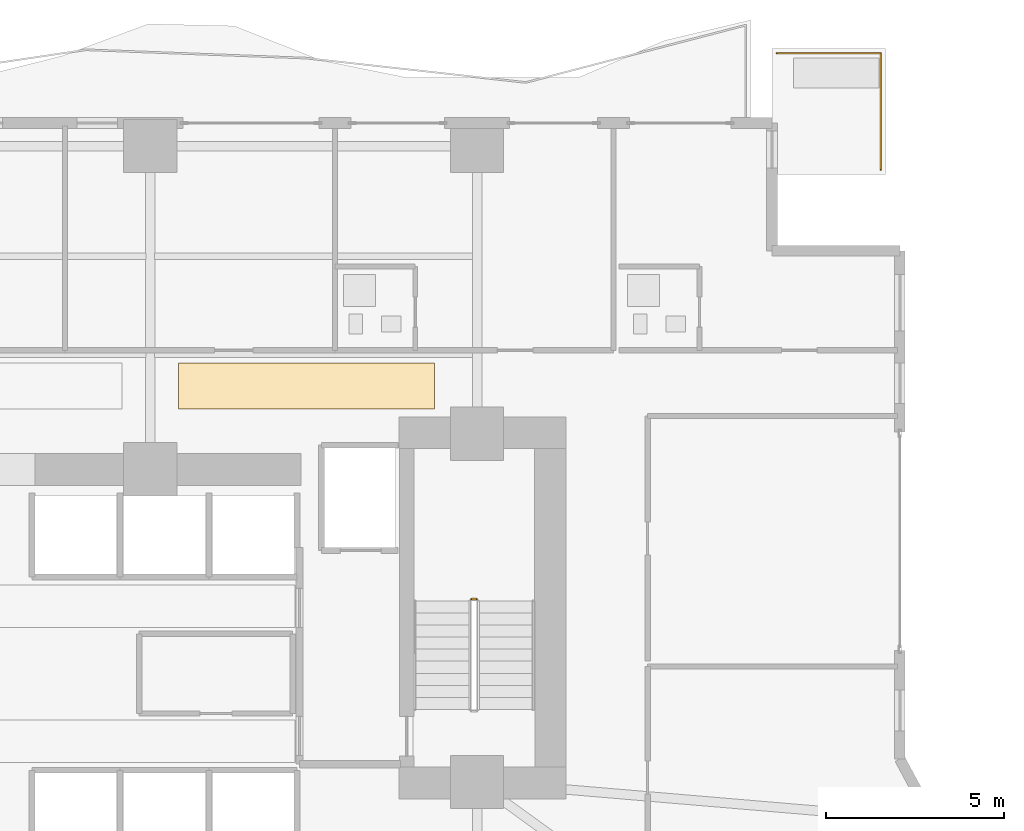
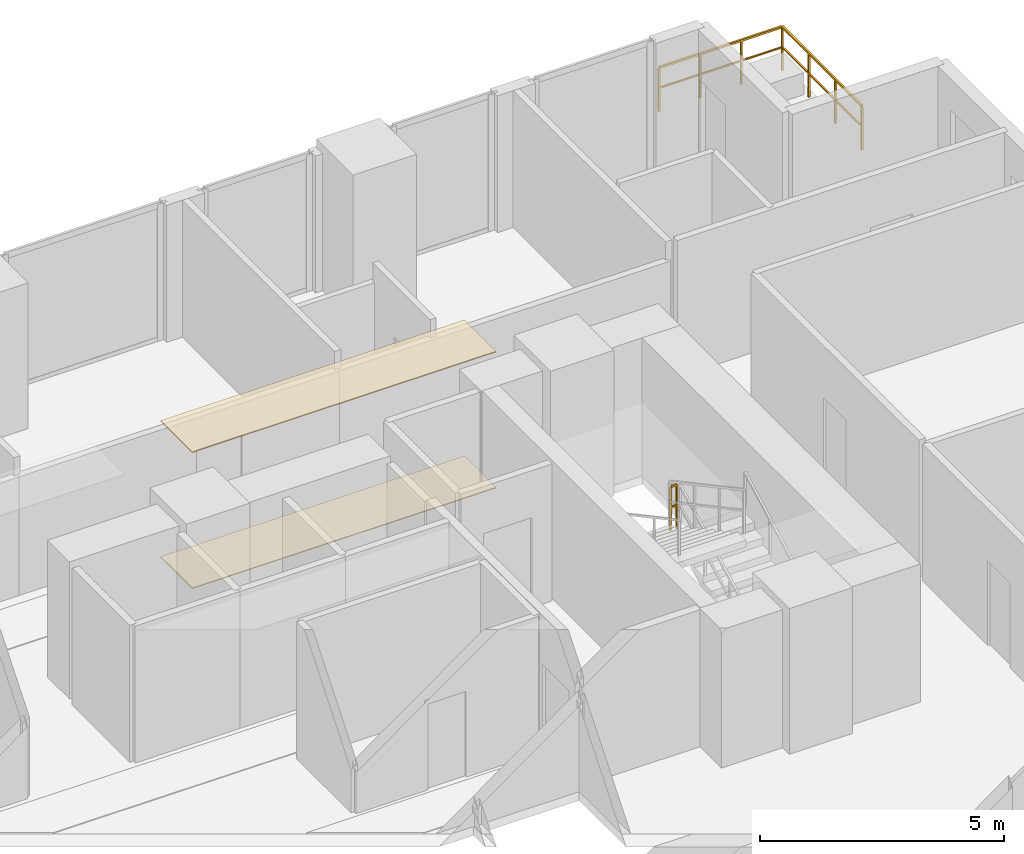
# One storey, part 27 of 28: 2 coverings, 2 railings.
"""IFC4 building model written with IfcOpenShell, lengths in metres."""

from ifc_helpers import new_model, si_unit, direction, frame, origin, origin_2d, place, context, subcontext, project, spatial, polyline, rectangle, outline, extrude, material, layer, layer_set, type_object, element, save


model = new_model("IFC4")

# Units and contexts
model_context = context("Model", 3, precision=1e-05, world=origin(), true_north=direction((0.0, 1.0)))
body_context = subcontext(model_context, "Body", "Model", "MODEL_VIEW")
ifc_project = project(units=[si_unit("LENGTHUNIT", "METRE"), si_unit("AREAUNIT", "SQUARE_METRE"), si_unit("VOLUMEUNIT", "CUBIC_METRE"), si_unit("PLANEANGLEUNIT", "RADIAN"), si_unit("MASSUNIT", "GRAM", prefix="KILO")], contexts=[model_context])

# Site, building, storey
site_placement = place(None, origin())
site = spatial("IfcSite", under=ifc_project, at=site_placement, CompositionType="ELEMENT")
building_placement = place(site_placement, origin())
building = spatial("IfcBuilding", under=site, at=building_placement, Name="Zuhayl Quay Hotel", CompositionType="ELEMENT")
storey_placement = place(building_placement, frame((0.0, 0.0, 56.800048828125)))
storey = spatial("IfcBuildingStorey", under=building, at=storey_placement, Name="L13", CompositionType="ELEMENT", Elevation=56.800048828125)

# Coverings
ifc_material_1 = material(Name="Acoustic Mineral-Fibre Gypsum Board")
ifc_layer_1 = layer(ifc_material_1, 0.02490234375, Name="Acoustic Mineral-Fibre Gypsum Board")
ifc_layer_set_1 = layer_set([ifc_layer_1], Name="Acoustic Mineral-Fibre Gypsum Board")
covering_type_1 = type_object("IfcCoveringType", Name="CV_CEIL_ACOUSTIC", PredefinedType="CEILING", material=ifc_layer_set_1)
covering_1_placement = place(storey_placement, frame((0.0, 0.0, 3.405029296875)))
element("IfcCovering", 1, at=covering_1_placement, inside=storey, type_object=covering_type_1, Name="L13 Guest Corridor Acoustic Ceiling CE", PredefinedType="CEILING", context=body_context, shape_type="SweptSolid", body=[
    extrude(outline(polyline([(5.39990234375, 15.050048828125), (12.60009765625, 15.050048828125), (12.60009765625, 16.35009765625), (5.39990234375, 16.35009765625), (5.39990234375, 15.050048828125)])), origin(), (0.0, 0.0, 1.0), 0.02490234375),
])
ifc_material_2 = material(Name="Polished Limestone Terrazzo", Category="masonry")
ifc_layer_2 = layer(ifc_material_2, 0.02001953125, Name="Polished Limestone Terrazzo", Category="masonry")
ifc_layer_set_2 = layer_set([ifc_layer_2], Name="Polished Limestone Terrazzo")
covering_type_2 = type_object("IfcCoveringType", Name="CV_FLOOR_TERRAZZO", PredefinedType="FLOORING", material=ifc_layer_set_2)
covering_2_placement = place(storey_placement, origin())
element("IfcCovering", 2, at=covering_2_placement, inside=storey, type_object=covering_type_2, Name="L13 Guest Corridor Terrazzo Runner CE", PredefinedType="FLOORING", context=body_context, shape_type="SweptSolid", body=[
    extrude(outline(polyline([(5.39990234375, 15.050048828125), (12.60009765625, 15.050048828125), (12.60009765625, 16.35009765625), (5.39990234375, 16.35009765625), (5.39990234375, 15.050048828125)])), origin(), (0.0, 0.0, 1.0), 0.02001953125),
])

# Railings
ifc_material_3 = material(Name="Anodised Aluminium and Laminated Glass", Category="aluminium")
railing_type_1 = type_object("IfcRailingType", Name="RL_EXT_BAL_1100", PredefinedType="BALUSTRADE", material=ifc_material_3)
railing_1_placement = place(storey_placement, frame((25.159912109375, 21.7900390625, 0.0)))
element("IfcRailing", 3, at=railing_1_placement, inside=storey, type_object=railing_type_1, Name="L13 Balcony and Terrace Guard GR_L13_SPIRAL_NE", PredefinedType="BALUSTRADE", context=body_context, shape_type="SweptSolid", body=[
    extrude(rectangle(XDim=0.048095703125, YDim=0.048095703125, at=origin_2d()), frame((0.0, 0.0, 1.09619140625), z_axis=(0.0, 1.0, 0.0), x_axis=(-1.0, 0.0, 0.0)), (0.0, 0.0, 1.0), 3.27001953125),
    extrude(rectangle(XDim=0.0361328125, YDim=0.0361328125, at=origin_2d()), frame((0.0, 0.0, 0.58251953125), z_axis=(0.0, 1.0, 0.0), x_axis=(-1.0, 0.0, 0.0)), (0.0, 0.0, 1.0), 3.27001953125),
    extrude(rectangle(XDim=0.048095703125, YDim=0.048095703125, at=origin_2d()), frame((0.0, 3.27001953125, 1.09619140625), z_axis=(-1.0, 0.0, 0.0), x_axis=(0.0, -1.0, 0.0)), (0.0, 0.0, 1.0), 2.919921875),
    extrude(rectangle(XDim=0.0361328125, YDim=0.0361328125, at=origin_2d()), frame((0.0, 3.27001953125, 0.58251953125), z_axis=(-1.0, 0.0, 0.0), x_axis=(0.0, -1.0, 0.0)), (0.0, 0.0, 1.0), 2.919921875),
    extrude(rectangle(XDim=0.0419921875, YDim=0.0419921875, at=origin_2d()), origin(), (0.0, 0.0, 1.0), 1.072021484375),
    extrude(rectangle(XDim=0.0419921875, YDim=0.0419921875, at=origin_2d()), frame((0.0, 1.090087890625, 0.0)), (0.0, 0.0, 1.0), 1.072021484375),
    extrude(rectangle(XDim=0.0419921875, YDim=0.0419921875, at=origin_2d()), frame((0.0, 2.179931640625, 0.0)), (0.0, 0.0, 1.0), 1.072021484375),
    extrude(rectangle(XDim=0.0419921875, YDim=0.0419921875, at=origin_2d()), frame((0.0, 3.27001953125, 0.0)), (0.0, 0.0, 1.0), 1.072021484375),
    extrude(rectangle(XDim=0.0419921875, YDim=0.0419921875, at=origin_2d()), frame((-0.973388671875, 3.27001953125, 0.0)), (0.0, 0.0, 1.0), 1.072021484375),
    extrude(rectangle(XDim=0.0419921875, YDim=0.0419921875, at=origin_2d()), frame((-1.946533203125, 3.27001953125, 0.0)), (0.0, 0.0, 1.0), 1.072021484375),
    extrude(rectangle(XDim=0.0419921875, YDim=0.0419921875, at=origin_2d()), frame((-2.919921875, 3.27001953125, 0.0)), (0.0, 0.0, 1.0), 1.072021484375),
])
ifc_material_4 = material(Name="Steel ASTM A992 Grade 50", Category="steel")
railing_type_2 = type_object("IfcRailingType", Name="RL_GUARD_1100", PredefinedType="GUARDRAIL", material=ifc_material_4)
railing_2_placement = place(storey_placement, frame((13.7900390625, 9.699951171875, 1.824951171875)))
element("IfcRailing", 4, at=railing_2_placement, inside=storey, type_object=railing_type_2, Name="L13 ST2 stair guard 2", PredefinedType="GUARDRAIL", context=body_context, shape_type="SweptSolid", body=[
    extrude(rectangle(XDim=0.048095703125, YDim=0.048095703125, at=origin_2d()), frame((0.0, 0.0, 1.09619140625), z_axis=(-1.0, 0.0, 0.0), x_axis=(0.0, -1.0, 0.0)), (0.0, 0.0, 1.0), 0.150146484375),
    extrude(rectangle(XDim=0.0361328125, YDim=0.0361328125, at=origin_2d()), frame((0.0, 0.0, 0.58251953125), z_axis=(-1.0, 0.0, 0.0), x_axis=(0.0, -1.0, 0.0)), (0.0, 0.0, 1.0), 0.150146484375),
    extrude(rectangle(XDim=0.0419921875, YDim=0.0419921875, at=origin_2d()), origin(), (0.0, 0.0, 1.0), 1.072021484375),
    extrude(rectangle(XDim=0.0419921875, YDim=0.0419921875, at=origin_2d()), frame((-0.150146484375, 0.0, 0.0)), (0.0, 0.0, 1.0), 1.072021484375),
])

save(model, "model.ifc")
